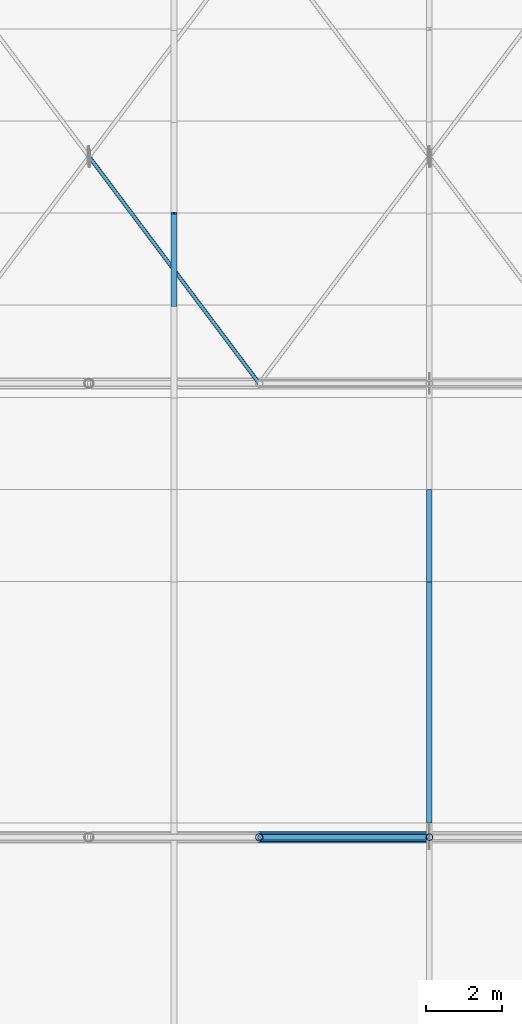
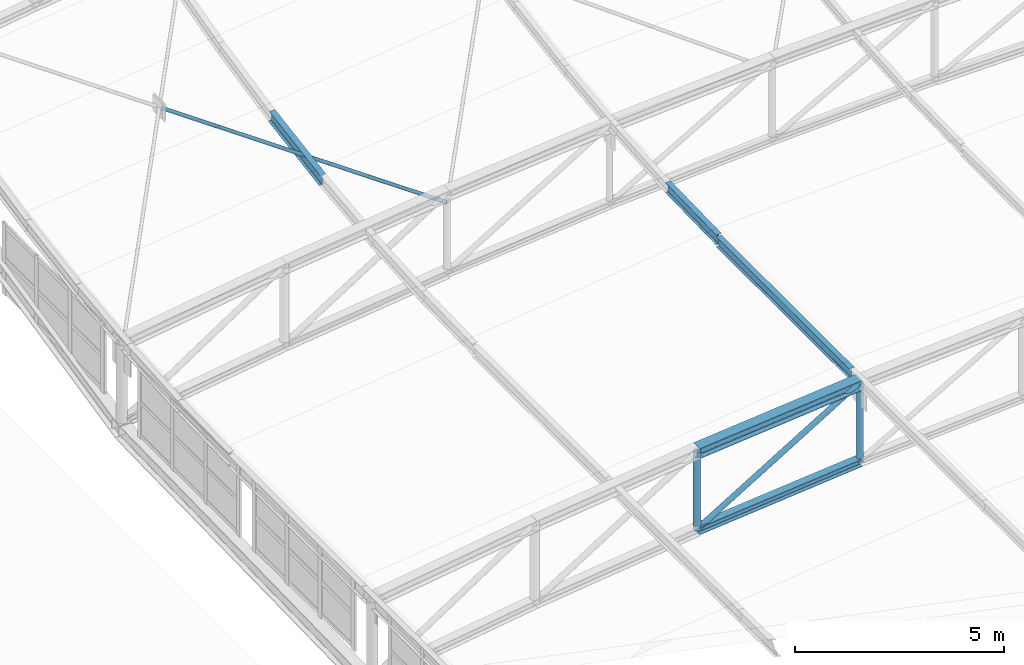
# One storey, part 107 of 262: 9 members.
"""IFC4 building model written with IfcOpenShell, lengths in metres."""

from ifc_helpers import new_model, si_unit, derived_unit, direction, frame, origin, origin_2d, place, context, subcontext, project, spatial, hollow_circle, i_section, extrude, material, material_profile, profile_set, type_object, element, save


model = new_model("IFC4")

# Units and contexts
model_context = context("Model", 3, precision=1e-05, world=origin(), true_north=direction((0.0, 1.0)))
body_context = subcontext(model_context, "Body", "Model", "MODEL_VIEW")
ifc_project = project(units=[si_unit("LENGTHUNIT", "METRE"), si_unit("AREAUNIT", "SQUARE_METRE"), si_unit("VOLUMEUNIT", "CUBIC_METRE"), si_unit("PLANEANGLEUNIT", "RADIAN"), si_unit("MASSUNIT", "GRAM", prefix="KILO"), derived_unit("THERMALTRANSMITTANCEUNIT", [(si_unit("POWERUNIT", "WATT"), 1), (si_unit("LENGTHUNIT", "METRE"), -2), (si_unit("THERMODYNAMICTEMPERATUREUNIT", "KELVIN"), -1)])], contexts=[model_context])

# Site, building, storey
site_placement = place(None, origin())
site = spatial("IfcSite", under=ifc_project, at=site_placement, CompositionType="ELEMENT")
building_placement = place(site_placement, origin())
building = spatial("IfcBuilding", under=site, at=building_placement, Name="Almenara Railside Exhibition Hall", CompositionType="ELEMENT")
storey_placement = place(building_placement, frame((0.0, 0.0, 21.699951171875)))
storey = spatial("IfcBuildingStorey", under=building, at=storey_placement, Name="RF", CompositionType="ELEMENT", Elevation=21.699951171875)

# Members
ifc_material = material(Name="Structural steel S355JR", Category="steel")
ifc_material_profile_1 = material_profile(ifc_material, i_section(OverallWidth=0.300048828125, OverallDepth=0.300048828125, WebThickness=0.010986328125, FlangeThickness=0.01904296875, FilletRadius=0.027099609375, at=origin_2d()), Name="HEB 300")
ifc_profile_set_1 = profile_set([ifc_material_profile_1], Name="Structural steel S355JR")
member_type_1 = type_object("IfcMemberType", Name="Arched Inner Top Chord HEB 300 S355JR", PredefinedType="CHORD", material=ifc_profile_set_1)
member_1_placement = place(storey_placement, frame((21.0, 96.0, 1.122314453125), z_axis=(0.995512933083, 0.0, 0.094625578275), x_axis=(0.0, 1.0, 0.0)))
element("IfcMember", 1, at=member_1_placement, inside=storey, type_object=member_type_1, Name="MEM-TC-V1-04-02", PredefinedType="CHORD", context=body_context, shape_type="SweptSolid", body=[
    extrude(i_section(OverallWidth=0.300048828125, OverallDepth=0.300048828125, WebThickness=0.010986328125, FlangeThickness=0.01904296875, FilletRadius=0.027099609375, at=origin_2d()), origin(), (0.0, 0.0, 1.0), 4.520263671875),
])
ifc_material_profile_2 = material_profile(ifc_material, i_section(OverallWidth=0.14990234375, OverallDepth=0.300048828125, WebThickness=0.007080078125, FlangeThickness=0.0107421875, FilletRadius=0.014892578125, at=origin_2d()), Name="IPE 300")
ifc_profile_set_2 = profile_set([ifc_material_profile_2], Name="Structural steel S355JR")
member_type_2 = type_object("IfcMemberType", Name="East Hall Ridge Purlin IPE 300 S355JR", PredefinedType="PURLIN", material=ifc_profile_set_2)
member_2_placement = place(storey_placement, frame((25.5, 96.3798828125, 1.5869140625), z_axis=(0.0, 1.0, 0.0), x_axis=(-1.0, 0.0, 0.0)))
element("IfcMember", 2, at=member_2_placement, inside=storey, type_object=member_type_2, Name="MEM-PR-V1-PR-IPE300-02-15", PredefinedType="PURLIN", context=body_context, shape_type="SweptSolid", body=[
    extrude(i_section(OverallWidth=0.14990234375, OverallDepth=0.300048828125, WebThickness=0.007080078125, FlangeThickness=0.0107421875, FilletRadius=0.014892578125, at=origin_2d()), origin(), (0.0, 0.0, 1.0), 6.379638671875),
])
member_3_placement = place(storey_placement, frame((25.5, 102.759521484375, 1.636962890625), z_axis=(0.0, 0.999725289903, 0.023438104182), x_axis=(-1.0, 0.0, 0.0)))
element("IfcMember", 3, at=member_3_placement, inside=storey, type_object=member_type_2, Name="MEM-PR-V1-PR-IPE300-02-16", PredefinedType="PURLIN", context=body_context, shape_type="SweptSolid", body=[
    extrude(i_section(OverallWidth=0.14990234375, OverallDepth=0.300048828125, WebThickness=0.007080078125, FlangeThickness=0.0107421875, FilletRadius=0.014892578125, at=origin_2d()), origin(), (0.0, 0.0, 1.0), 2.4375),
])
ifc_material_profile_3 = material_profile(ifc_material, i_section(OverallWidth=0.159912109375, OverallDepth=0.330078125, WebThickness=0.007568359375, FlangeThickness=0.011474609375, FilletRadius=0.01806640625, at=origin_2d()), Name="IPE 330")
ifc_profile_set_3 = profile_set([ifc_material_profile_3], Name="Structural steel S355JR")
member_type_3 = type_object("IfcMemberType", Name="Gable Bay Purlin IPE 330 S355JR", PredefinedType="PURLIN", material=ifc_profile_set_3)
member_4_placement = place(storey_placement, frame((18.75, 110.069580078125, 1.30517578125), z_axis=(0.0, 0.986449960692, 0.164062412058), x_axis=(-1.0, 0.0, 0.0)))
element("IfcMember", 4, at=member_4_placement, inside=storey, type_object=member_type_3, Name="MEM-PR-V1-PR-IPE330-01-19", PredefinedType="PURLIN", context=body_context, shape_type="SweptSolid", body=[
    extrude(i_section(OverallWidth=0.159912109375, OverallDepth=0.330078125, WebThickness=0.007568359375, FlangeThickness=0.011474609375, FilletRadius=0.01806640625, at=origin_2d()), origin(), (0.0, 0.0, 1.0), 2.47021484375),
])
ifc_material_profile_4 = material_profile(ifc_material, i_section(OverallWidth=0.219970703125, OverallDepth=0.219970703125, WebThickness=0.009521484375, FlangeThickness=0.01611328125, FilletRadius=0.01806640625, at=origin_2d()), Name="HEB 220")
ifc_profile_set_4 = profile_set([ifc_material_profile_4], Name="Structural steel S355JR")
member_type_4 = type_object("IfcMemberType", Name="Scroll Tie Chord HEB 220 S355JR", PredefinedType="CHORD", material=ifc_profile_set_4)
member_5_placement = place(storey_placement, frame((21.0, 96.0, -1.177734375), z_axis=(0.995512933083, 0.0, 0.094625578275), x_axis=(0.0, 1.0, 0.0)))
element("IfcMember", 5, at=member_5_placement, inside=storey, type_object=member_type_4, Name="MEM-BC-V1-04-02", PredefinedType="CHORD", context=body_context, shape_type="SweptSolid", body=[
    extrude(i_section(OverallWidth=0.219970703125, OverallDepth=0.219970703125, WebThickness=0.009521484375, FlangeThickness=0.01611328125, FilletRadius=0.01806640625, at=origin_2d()), origin(), (0.0, 0.0, 1.0), 4.520263671875),
])
ifc_material_profile_5 = material_profile(ifc_material, hollow_circle(Radius=0.05078125, WallThickness=0.00390625, at=origin_2d()), Name="CHS 101.6x4")
ifc_profile_set_5 = profile_set([ifc_material_profile_5], Name="Structural steel S355JR")
member_type_5 = type_object("IfcMemberType", Name="Scroll Wind Plan Brace CHS 101.6x4 S355JR", PredefinedType="BRACE", material=ifc_profile_set_5)
member_6_placement = place(storey_placement, frame((21.0, 108.0, 1.10693359375), z_axis=(-0.597204451366, 0.796261722591, 0.096509649289), x_axis=(-0.799996065092, -0.600005246508, 0.0)))
element("IfcMember", 6, at=member_6_placement, inside=storey, type_object=member_type_5, Name="MEM-WB-V1-WB-CHS102-05-00-S1", PredefinedType="BRACE", context=body_context, shape_type="SweptSolid", body=[
    extrude(hollow_circle(Radius=0.05078125, WallThickness=0.00390625, at=origin_2d()), origin(), (0.0, 0.0, 1.0), 7.480224609375),
])
ifc_material_profile_6 = material_profile(ifc_material, hollow_circle(Radius=0.076171875, WallThickness=0.0048828125, at=origin_2d()), Name="CHS 152.4x5")
ifc_profile_set_6 = profile_set([ifc_material_profile_6], Name="Structural steel S355JR")
member_type_6 = type_object("IfcMemberType", Name="Truss Mid Diagonal CHS 152.4x5 S355JR", PredefinedType="BRACE", material=ifc_profile_set_6)
member_7_placement = place(storey_placement, frame((21.0, 96.0, -1.177734375), z_axis=(0.855154829777, 0.0, 0.518372662386), x_axis=(0.0, 1.0, 0.0)))
element("IfcMember", 7, at=member_7_placement, inside=storey, type_object=member_type_6, Name="MEM-TD-V1-04-02", PredefinedType="BRACE", context=body_context, shape_type="SweptSolid", body=[
    extrude(hollow_circle(Radius=0.076171875, WallThickness=0.0048828125, at=origin_2d()), origin(), (0.0, 0.0, 1.0), 5.26220703125),
])
ifc_material_profile_7 = material_profile(ifc_material, hollow_circle(Radius=0.0888671875, WallThickness=0.006103515625, at=origin_2d()), Name="CHS 177.8x6")
ifc_profile_set_7 = profile_set([ifc_material_profile_7], Name="Structural steel S355JR")
member_type_7 = type_object("IfcMemberType", Name="Truss Quarter Vertical Strut CHS 177.8x6 S355JR", PredefinedType="BRACE", material=ifc_profile_set_7)
member_8_placement = place(storey_placement, frame((25.5, 96.0, -0.75), z_axis=(0.0, 0.0, 1.0), x_axis=(1.0, 0.0, 0.0)))
element("IfcMember", 8, at=member_8_placement, inside=storey, type_object=member_type_7, Name="MEM-TV-V1-04-03", PredefinedType="BRACE", context=body_context, shape_type="SweptSolid", body=[
    extrude(hollow_circle(Radius=0.0888671875, WallThickness=0.006103515625, at=origin_2d()), origin(), (0.0, 0.0, 1.0), 2.300048828125),
])
ifc_material_profile_8 = material_profile(ifc_material, hollow_circle(Radius=0.096923828125, WallThickness=0.00634765625, at=origin_2d()), Name="CHS 193.7x6.3")
ifc_profile_set_8 = profile_set([ifc_material_profile_8], Name="Structural steel S355JR")
member_type_8 = type_object("IfcMemberType", Name="Truss Standard Vertical Strut CHS 193.7x6.3 S355JR", PredefinedType="BRACE", material=ifc_profile_set_8)
member_9_placement = place(storey_placement, frame((21.0, 96.0, -1.177734375), z_axis=(0.0, 0.0, 1.0), x_axis=(1.0, 0.0, 0.0)))
element("IfcMember", 9, at=member_9_placement, inside=storey, type_object=member_type_8, Name="MEM-TV-V1-04-02", PredefinedType="BRACE", context=body_context, shape_type="SweptSolid", body=[
    extrude(hollow_circle(Radius=0.096923828125, WallThickness=0.00634765625, at=origin_2d()), origin(), (0.0, 0.0, 1.0), 2.300048828125),
])

save(model, "model.ifc")
